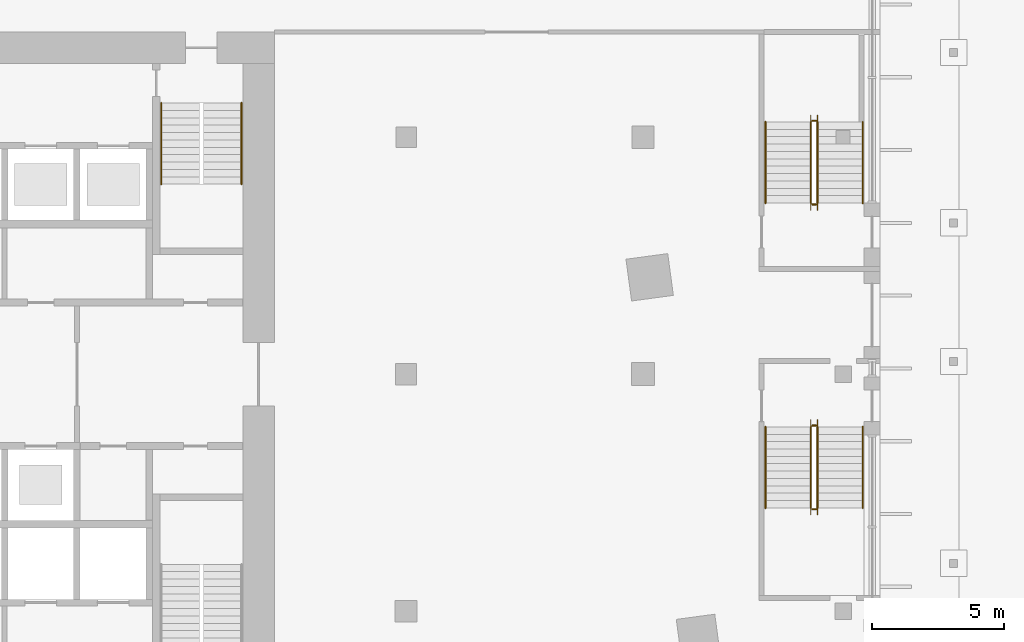
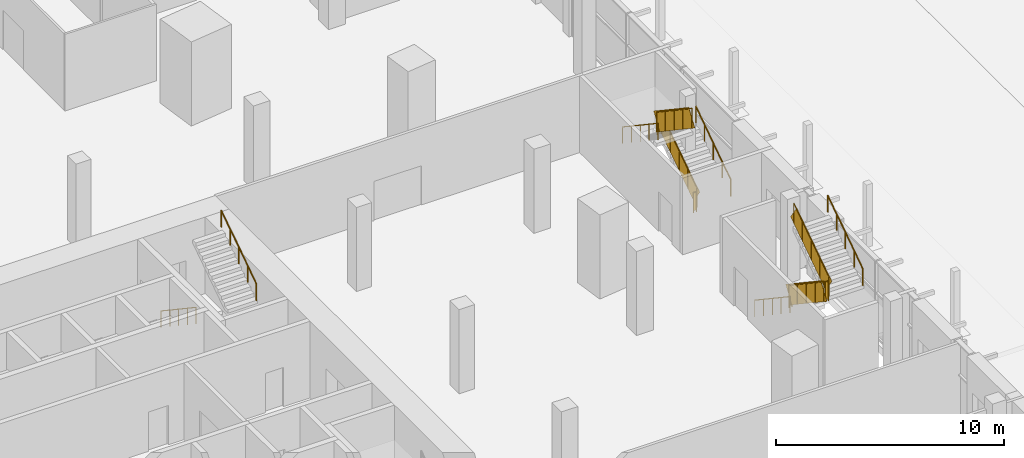
# One storey, part 40 of 42: 14 railings.
"""IFC4 building model written with IfcOpenShell, lengths in metres."""

from ifc_helpers import new_model, si_unit, direction, frame, origin, origin_2d, place, context, subcontext, project, spatial, rectangle, circle, extrude, material, type_object, element, save


model = new_model("IFC4")

# Units and contexts
model_context = context("Model", 3, precision=1e-05, world=origin(), true_north=direction((0.0, 1.0)))
body_context = subcontext(model_context, "Body", "Model", "MODEL_VIEW")
ifc_project = project(units=[si_unit("LENGTHUNIT", "METRE"), si_unit("AREAUNIT", "SQUARE_METRE"), si_unit("VOLUMEUNIT", "CUBIC_METRE"), si_unit("PLANEANGLEUNIT", "RADIAN"), si_unit("MASSUNIT", "GRAM", prefix="KILO")], contexts=[model_context])

# Site, building, storey
site_placement = place(None, origin())
site = spatial("IfcSite", under=ifc_project, at=site_placement, CompositionType="ELEMENT")
building_placement = place(site_placement, origin())
building = spatial("IfcBuilding", under=site, at=building_placement, Name="Dilmun Exchange Tower", CompositionType="ELEMENT")
storey_placement = place(building_placement, origin())
storey = spatial("IfcBuildingStorey", under=building, at=storey_placement, Name="L00", CompositionType="ELEMENT", Elevation=0.0)

# Railings
ifc_material_1 = material(Name="Guard 1100")
railing_type_1 = type_object("IfcRailingType", Name="Guard 1100", PredefinedType="GUARDRAIL", material=ifc_material_1)
railing_1_placement = place(storey_placement, frame((33.3740234375, -2.0, 0.1875)))
element("IfcRailing", 1, at=railing_1_placement, inside=storey, type_object=railing_type_1, Name="L00 PS3 stair guard 1", PredefinedType="GUARDRAIL", context=body_context, shape_type="SweptSolid", body=[
    extrude(circle(Radius=0.02392578125, at=origin_2d()), frame((0.0, 0.0, 1.076171875), z_axis=(0.0, -0.830913701846, 0.55640131208), x_axis=(1.0, 0.0, 0.0)), (0.0, 0.0, 1.0), 3.706787109375),
    extrude(rectangle(XDim=0.011962890625, YDim=0.951904296875, at=origin_2d()), frame((0.0, 0.0, 0.576171875), z_axis=(0.0, -0.830913701846, 0.55640131208), x_axis=(1.0, 0.0, 0.0)), (0.0, 0.0, 1.0), 3.706787109375),
    extrude(circle(Radius=0.02099609375, at=origin_2d()), origin(), (0.0, 0.0, 1.0), 1.052001953125),
    extrude(circle(Radius=0.02099609375, at=origin_2d()), frame((0.0, -0.77001953125, 0.515625)), (0.0, 0.0, 1.0), 1.052001953125),
    extrude(circle(Radius=0.02099609375, at=origin_2d()), frame((0.0, -1.5400390625, 1.03125)), (0.0, 0.0, 1.0), 1.052001953125),
    extrude(circle(Radius=0.02099609375, at=origin_2d()), frame((0.0, -2.31005859375, 1.546875)), (0.0, 0.0, 1.0), 1.052001953125),
    extrude(circle(Radius=0.02099609375, at=origin_2d()), frame((0.0, -3.080078125, 2.0625)), (0.0, 0.0, 1.0), 1.052001953125),
])
railing_2_placement = place(storey_placement, frame((33.424072265625, -5.1298828125, 2.25)))
element("IfcRailing", 2, at=railing_2_placement, inside=storey, type_object=railing_type_1, Name="L00 PS3 stair guard 2", PredefinedType="GUARDRAIL", context=body_context, shape_type="SweptSolid", body=[
    extrude(circle(Radius=0.02392578125, at=origin_2d()), frame((0.0, 0.0, 1.076171875), z_axis=(1.0, 0.0, 0.0), x_axis=(0.0, 1.0, 0.0)), (0.0, 0.0, 1.0), 0.14990234375),
    extrude(rectangle(XDim=0.011962890625, YDim=0.951904296875, at=origin_2d()), frame((0.0, 0.0, 0.576171875), z_axis=(1.0, 0.0, 0.0), x_axis=(0.0, 1.0, 0.0)), (0.0, 0.0, 1.0), 0.14990234375),
    extrude(circle(Radius=0.02099609375, at=origin_2d()), origin(), (0.0, 0.0, 1.0), 1.052001953125),
    extrude(circle(Radius=0.02099609375, at=origin_2d()), frame((0.14990234375, 0.0, 0.0)), (0.0, 0.0, 1.0), 1.052001953125),
])
railing_3_placement = place(storey_placement, frame((33.6240234375, -5.080078125, 2.4375)))
element("IfcRailing", 3, at=railing_3_placement, inside=storey, type_object=railing_type_1, Name="L00 PS3 stair guard 3", PredefinedType="GUARDRAIL", context=body_context, shape_type="SweptSolid", body=[
    extrude(circle(Radius=0.02392578125, at=origin_2d()), frame((0.0, 0.0, 1.076171875), z_axis=(0.0, 0.830913701846, 0.55640131208), x_axis=(-1.0, 0.0, 0.0)), (0.0, 0.0, 1.0), 3.706787109375),
    extrude(rectangle(XDim=0.011962890625, YDim=0.951904296875, at=origin_2d()), frame((0.0, 0.0, 0.576171875), z_axis=(0.0, 0.830913701846, 0.55640131208), x_axis=(-1.0, 0.0, 0.0)), (0.0, 0.0, 1.0), 3.706787109375),
    extrude(circle(Radius=0.02099609375, at=origin_2d()), origin(), (0.0, 0.0, 1.0), 1.052001953125),
    extrude(circle(Radius=0.02099609375, at=origin_2d()), frame((0.0, 0.77001953125, 0.515625)), (0.0, 0.0, 1.0), 1.052001953125),
    extrude(circle(Radius=0.02099609375, at=origin_2d()), frame((0.0, 1.5400390625, 1.03125)), (0.0, 0.0, 1.0), 1.052001953125),
    extrude(circle(Radius=0.02099609375, at=origin_2d()), frame((0.0, 2.31005859375, 1.546875)), (0.0, 0.0, 1.0), 1.052001953125),
    extrude(circle(Radius=0.02099609375, at=origin_2d()), frame((0.0, 3.080078125, 2.0625)), (0.0, 0.0, 1.0), 1.052001953125),
])
railing_4_placement = place(storey_placement, frame((33.424072265625, -1.949951171875, 0.0)))
element("IfcRailing", 4, at=railing_4_placement, inside=storey, type_object=railing_type_1, Name="L00 PS3 stair guard 4", PredefinedType="GUARDRAIL", context=body_context, shape_type="SweptSolid", body=[
    extrude(circle(Radius=0.02392578125, at=origin_2d()), frame((0.0, 0.0, 1.076171875), z_axis=(1.0, 0.0, 0.0), x_axis=(0.0, 1.0, 0.0)), (0.0, 0.0, 1.0), 0.14990234375),
    extrude(rectangle(XDim=0.011962890625, YDim=0.951904296875, at=origin_2d()), frame((0.0, 0.0, 0.576171875), z_axis=(1.0, 0.0, 0.0), x_axis=(0.0, 1.0, 0.0)), (0.0, 0.0, 1.0), 0.14990234375),
    extrude(circle(Radius=0.02099609375, at=origin_2d()), origin(), (0.0, 0.0, 1.0), 1.052001953125),
    extrude(circle(Radius=0.02099609375, at=origin_2d()), frame((0.14990234375, 0.0, 0.0)), (0.0, 0.0, 1.0), 1.052001953125),
])
railing_5_placement = place(storey_placement, frame((33.6240234375, 6.5, 0.1875)))
element("IfcRailing", 5, at=railing_5_placement, inside=storey, type_object=railing_type_1, Name="L00 PS4 stair guard 1", PredefinedType="GUARDRAIL", context=body_context, shape_type="SweptSolid", body=[
    extrude(circle(Radius=0.02392578125, at=origin_2d()), frame((0.0, 0.0, 1.076171875), z_axis=(0.0, 0.830913701846, 0.55640131208), x_axis=(-1.0, 0.0, 0.0)), (0.0, 0.0, 1.0), 3.706787109375),
    extrude(rectangle(XDim=0.011962890625, YDim=0.951904296875, at=origin_2d()), frame((0.0, 0.0, 0.576171875), z_axis=(0.0, 0.830913701846, 0.55640131208), x_axis=(-1.0, 0.0, 0.0)), (0.0, 0.0, 1.0), 3.706787109375),
    extrude(circle(Radius=0.02099609375, at=origin_2d()), origin(), (0.0, 0.0, 1.0), 1.052001953125),
    extrude(circle(Radius=0.02099609375, at=origin_2d()), frame((0.0, 0.77001953125, 0.515625)), (0.0, 0.0, 1.0), 1.052001953125),
    extrude(circle(Radius=0.02099609375, at=origin_2d()), frame((0.0, 1.5400390625, 1.03125)), (0.0, 0.0, 1.0), 1.052001953125),
    extrude(circle(Radius=0.02099609375, at=origin_2d()), frame((0.0, 2.31005859375, 1.546875)), (0.0, 0.0, 1.0), 1.052001953125),
    extrude(circle(Radius=0.02099609375, at=origin_2d()), frame((0.0, 3.080078125, 2.0625)), (0.0, 0.0, 1.0), 1.052001953125),
])
railing_6_placement = place(storey_placement, frame((33.573974609375, 9.6298828125, 2.25)))
element("IfcRailing", 6, at=railing_6_placement, inside=storey, type_object=railing_type_1, Name="L00 PS4 stair guard 2", PredefinedType="GUARDRAIL", context=body_context, shape_type="SweptSolid", body=[
    extrude(circle(Radius=0.02392578125, at=origin_2d()), frame((0.0, 0.0, 1.076171875), z_axis=(-1.0, 0.0, 0.0), x_axis=(0.0, -1.0, 0.0)), (0.0, 0.0, 1.0), 0.14990234375),
    extrude(rectangle(XDim=0.011962890625, YDim=0.951904296875, at=origin_2d()), frame((0.0, 0.0, 0.576171875), z_axis=(-1.0, 0.0, 0.0), x_axis=(0.0, -1.0, 0.0)), (0.0, 0.0, 1.0), 0.14990234375),
    extrude(circle(Radius=0.02099609375, at=origin_2d()), origin(), (0.0, 0.0, 1.0), 1.052001953125),
    extrude(circle(Radius=0.02099609375, at=origin_2d()), frame((-0.14990234375, 0.0, 0.0)), (0.0, 0.0, 1.0), 1.052001953125),
])
railing_7_placement = place(storey_placement, frame((33.3740234375, 9.580078125, 2.4375)))
element("IfcRailing", 7, at=railing_7_placement, inside=storey, type_object=railing_type_1, Name="L00 PS4 stair guard 3", PredefinedType="GUARDRAIL", context=body_context, shape_type="SweptSolid", body=[
    extrude(circle(Radius=0.02392578125, at=origin_2d()), frame((0.0, 0.0, 1.076171875), z_axis=(0.0, -0.830913701846, 0.55640131208), x_axis=(1.0, 0.0, 0.0)), (0.0, 0.0, 1.0), 3.706787109375),
    extrude(rectangle(XDim=0.011962890625, YDim=0.951904296875, at=origin_2d()), frame((0.0, 0.0, 0.576171875), z_axis=(0.0, -0.830913701846, 0.55640131208), x_axis=(1.0, 0.0, 0.0)), (0.0, 0.0, 1.0), 3.706787109375),
    extrude(circle(Radius=0.02099609375, at=origin_2d()), origin(), (0.0, 0.0, 1.0), 1.052001953125),
    extrude(circle(Radius=0.02099609375, at=origin_2d()), frame((0.0, -0.77001953125, 0.515625)), (0.0, 0.0, 1.0), 1.052001953125),
    extrude(circle(Radius=0.02099609375, at=origin_2d()), frame((0.0, -1.5400390625, 1.03125)), (0.0, 0.0, 1.0), 1.052001953125),
    extrude(circle(Radius=0.02099609375, at=origin_2d()), frame((0.0, -2.31005859375, 1.546875)), (0.0, 0.0, 1.0), 1.052001953125),
    extrude(circle(Radius=0.02099609375, at=origin_2d()), frame((0.0, -3.080078125, 2.0625)), (0.0, 0.0, 1.0), 1.052001953125),
])
railing_8_placement = place(storey_placement, frame((33.573974609375, 6.449951171875, 0.0)))
element("IfcRailing", 8, at=railing_8_placement, inside=storey, type_object=railing_type_1, Name="L00 PS4 stair guard 4", PredefinedType="GUARDRAIL", context=body_context, shape_type="SweptSolid", body=[
    extrude(circle(Radius=0.02392578125, at=origin_2d()), frame((0.0, 0.0, 1.076171875), z_axis=(-1.0, 0.0, 0.0), x_axis=(0.0, -1.0, 0.0)), (0.0, 0.0, 1.0), 0.14990234375),
    extrude(rectangle(XDim=0.011962890625, YDim=0.951904296875, at=origin_2d()), frame((0.0, 0.0, 0.576171875), z_axis=(-1.0, 0.0, 0.0), x_axis=(0.0, -1.0, 0.0)), (0.0, 0.0, 1.0), 0.14990234375),
    extrude(circle(Radius=0.02099609375, at=origin_2d()), origin(), (0.0, 0.0, 1.0), 1.052001953125),
    extrude(circle(Radius=0.02099609375, at=origin_2d()), frame((-0.14990234375, 0.0, 0.0)), (0.0, 0.0, 1.0), 1.052001953125),
])
ifc_material_2 = material(Name="Handrail 900")
railing_type_2 = type_object("IfcRailingType", Name="Handrail 900", PredefinedType="HANDRAIL", material=ifc_material_2)
railing_9_placement = place(storey_placement, frame((31.64990234375, -2.0, 0.1875)))
element("IfcRailing", 9, at=railing_9_placement, inside=storey, type_object=railing_type_2, Name="L00 PS3 stair handrail 1", PredefinedType="HANDRAIL", context=body_context, shape_type="SweptSolid", body=[
    extrude(circle(Radius=0.02392578125, at=origin_2d()), frame((0.0, 0.0, 0.8759765625), z_axis=(0.0, -0.830913701846, 0.55640131208), x_axis=(1.0, 0.0, 0.0)), (0.0, 0.0, 1.0), 3.706787109375),
    extrude(circle(Radius=0.02099609375, at=origin_2d()), origin(), (0.0, 0.0, 1.0), 0.851806640625),
    extrude(circle(Radius=0.02099609375, at=origin_2d()), frame((0.0, -0.77001953125, 0.515625)), (0.0, 0.0, 1.0), 0.851806640625),
    extrude(circle(Radius=0.02099609375, at=origin_2d()), frame((0.0, -1.5400390625, 1.03125)), (0.0, 0.0, 1.0), 0.851806640625),
    extrude(circle(Radius=0.02099609375, at=origin_2d()), frame((0.0, -2.31005859375, 1.546875)), (0.0, 0.0, 1.0), 0.851806640625),
    extrude(circle(Radius=0.02099609375, at=origin_2d()), frame((0.0, -3.080078125, 2.0625)), (0.0, 0.0, 1.0), 0.851806640625),
])
for number, where, name in (
    (10, (35.347900390625, -5.080078125, 2.4375), "L00 PS3 stair handrail 2"),
    (11, (35.347900390625, 6.5, 0.1875), "L00 PS4 stair handrail 1"),
):
    element("IfcRailing", number, at=place(storey_placement, frame(where)), inside=storey, type_object=railing_type_2, Name=name, PredefinedType="HANDRAIL", context=body_context, shape_type="SweptSolid", body=[
        extrude(circle(Radius=0.02392578125, at=origin_2d()), frame((0.0, 0.0, 0.8759765625), z_axis=(0.0, 0.830913701846, 0.55640131208), x_axis=(-1.0, 0.0, 0.0)), (0.0, 0.0, 1.0), 3.706787109375),
        extrude(circle(Radius=0.02099609375, at=origin_2d()), origin(), (0.0, 0.0, 1.0), 0.851806640625),
        extrude(circle(Radius=0.02099609375, at=origin_2d()), frame((0.0, 0.77001953125, 0.515625)), (0.0, 0.0, 1.0), 0.851806640625),
        extrude(circle(Radius=0.02099609375, at=origin_2d()), frame((0.0, 1.5400390625, 1.03125)), (0.0, 0.0, 1.0), 0.851806640625),
        extrude(circle(Radius=0.02099609375, at=origin_2d()), frame((0.0, 2.31005859375, 1.546875)), (0.0, 0.0, 1.0), 0.851806640625),
        extrude(circle(Radius=0.02099609375, at=origin_2d()), frame((0.0, 3.080078125, 2.0625)), (0.0, 0.0, 1.0), 0.851806640625),
    ])
railing_10_placement = place(storey_placement, frame((31.64990234375, 9.580078125, 2.4375)))
element("IfcRailing", 12, at=railing_10_placement, inside=storey, type_object=railing_type_2, Name="L00 PS4 stair handrail 2", PredefinedType="HANDRAIL", context=body_context, shape_type="SweptSolid", body=[
    extrude(circle(Radius=0.02392578125, at=origin_2d()), frame((0.0, 0.0, 0.8759765625), z_axis=(0.0, -0.830913701846, 0.55640131208), x_axis=(1.0, 0.0, 0.0)), (0.0, 0.0, 1.0), 3.706787109375),
    extrude(circle(Radius=0.02099609375, at=origin_2d()), origin(), (0.0, 0.0, 1.0), 0.851806640625),
    extrude(circle(Radius=0.02099609375, at=origin_2d()), frame((0.0, -0.77001953125, 0.515625)), (0.0, 0.0, 1.0), 0.851806640625),
    extrude(circle(Radius=0.02099609375, at=origin_2d()), frame((0.0, -1.5400390625, 1.03125)), (0.0, 0.0, 1.0), 0.851806640625),
    extrude(circle(Radius=0.02099609375, at=origin_2d()), frame((0.0, -2.31005859375, 1.546875)), (0.0, 0.0, 1.0), 0.851806640625),
    extrude(circle(Radius=0.02099609375, at=origin_2d()), frame((0.0, -3.080078125, 2.0625)), (0.0, 0.0, 1.0), 0.851806640625),
])
ifc_material_3 = material(Name="Stainless steel", Category="steel")
railing_type_3 = type_object("IfcRailingType", Name="Stair handrail 900", PredefinedType="HANDRAIL", material=ifc_material_3)
railing_11_placement = place(storey_placement, frame((8.699951171875, 10.300048828125, 0.1875)))
element("IfcRailing", 13, at=railing_11_placement, inside=storey, type_object=railing_type_3, Name="L00 ST1 stair handrail 1", PredefinedType="HANDRAIL", context=body_context, shape_type="SweptSolid", body=[
    extrude(circle(Radius=0.02392578125, at=origin_2d()), frame((0.0, 0.0, 0.8759765625), z_axis=(0.0, -0.830913701846, 0.55640131208), x_axis=(1.0, 0.0, 0.0)), (0.0, 0.0, 1.0), 3.706787109375),
    extrude(circle(Radius=0.02099609375, at=origin_2d()), origin(), (0.0, 0.0, 1.0), 0.851806640625),
    extrude(circle(Radius=0.02099609375, at=origin_2d()), frame((0.0, -0.77001953125, 0.515625)), (0.0, 0.0, 1.0), 0.851806640625),
    extrude(circle(Radius=0.02099609375, at=origin_2d()), frame((0.0, -1.5400390625, 1.03125)), (0.0, 0.0, 1.0), 0.851806640625),
    extrude(circle(Radius=0.02099609375, at=origin_2d()), frame((0.0, -2.31005859375, 1.546875)), (0.0, 0.0, 1.0), 0.851806640625),
    extrude(circle(Radius=0.02099609375, at=origin_2d()), frame((0.0, -3.080078125, 2.0625)), (0.0, 0.0, 1.0), 0.851806640625),
])
railing_12_placement = place(storey_placement, frame((11.75, 7.219970703125, 2.4375)))
element("IfcRailing", 14, at=railing_12_placement, inside=storey, type_object=railing_type_3, Name="L00 ST1 stair handrail 2", PredefinedType="HANDRAIL", context=body_context, shape_type="SweptSolid", body=[
    extrude(circle(Radius=0.02392578125, at=origin_2d()), frame((0.0, 0.0, 0.8759765625), z_axis=(0.0, 0.830913701846, 0.55640131208), x_axis=(-1.0, 0.0, 0.0)), (0.0, 0.0, 1.0), 3.706787109375),
    extrude(circle(Radius=0.02099609375, at=origin_2d()), origin(), (0.0, 0.0, 1.0), 0.851806640625),
    extrude(circle(Radius=0.02099609375, at=origin_2d()), frame((0.0, 0.77001953125, 0.515625)), (0.0, 0.0, 1.0), 0.851806640625),
    extrude(circle(Radius=0.02099609375, at=origin_2d()), frame((0.0, 1.5400390625, 1.03125)), (0.0, 0.0, 1.0), 0.851806640625),
    extrude(circle(Radius=0.02099609375, at=origin_2d()), frame((0.0, 2.31005859375, 1.546875)), (0.0, 0.0, 1.0), 0.851806640625),
    extrude(circle(Radius=0.02099609375, at=origin_2d()), frame((0.0, 3.080078125, 2.0625)), (0.0, 0.0, 1.0), 0.851806640625),
])

save(model, "model.ifc")
